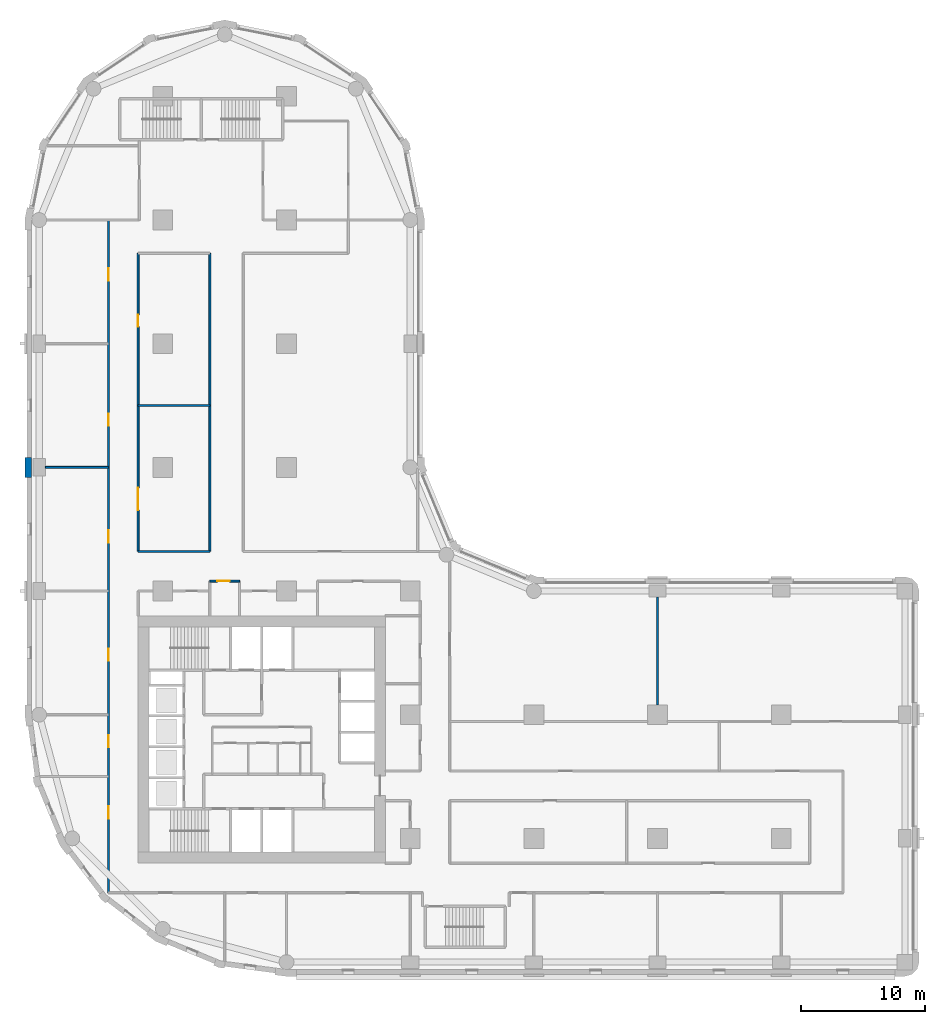
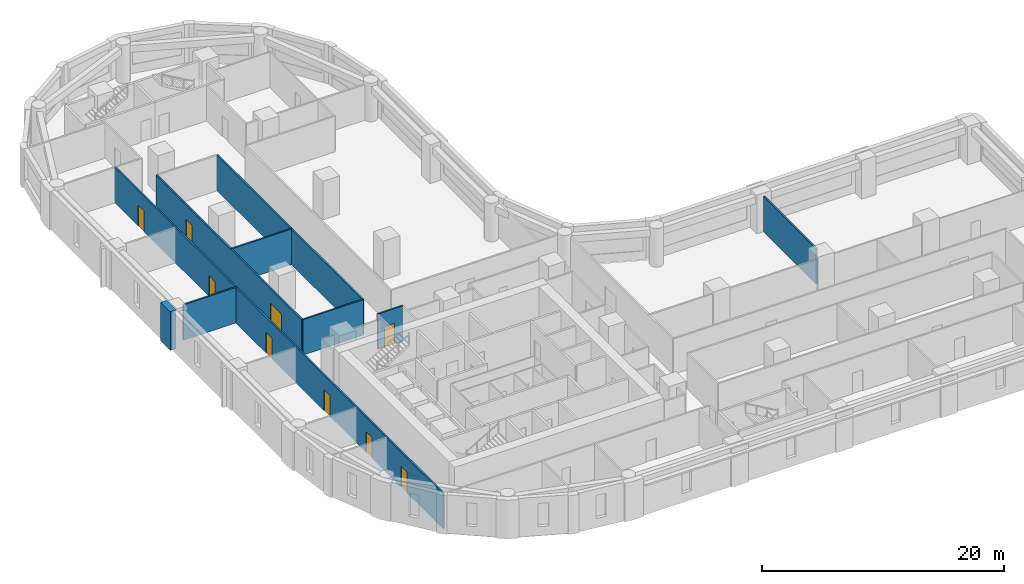
# One storey, part 5 of 11: 9 doors, 9 walls, 9 openings.
"""IFC4 building model written with IfcOpenShell, lengths in metres."""

from ifc_helpers import new_model, si_unit, direction, frame, frame_2d, origin, place, context, subcontext, project, spatial, polyline, rectangle, outline, extrude, material, layer, layer_set, type_object, element, fill, save


model = new_model("IFC4")

# Units and contexts
model_context = context("Model", 3, precision=1e-05, world=origin(), true_north=direction((0.0, 1.0)))
body_context = subcontext(model_context, "Body", "Model", "MODEL_VIEW")
ifc_project = project(units=[si_unit("LENGTHUNIT", "METRE"), si_unit("AREAUNIT", "SQUARE_METRE"), si_unit("VOLUMEUNIT", "CUBIC_METRE"), si_unit("PLANEANGLEUNIT", "RADIAN"), si_unit("MASSUNIT", "GRAM", prefix="KILO")], contexts=[model_context])

# Site, building, storey
site_placement = place(None, origin())
site = spatial("IfcSite", under=ifc_project, at=site_placement, CompositionType="ELEMENT")
building_placement = place(site_placement, origin())
building = spatial("IfcBuilding", under=site, at=building_placement, Name="Qaws Garden Tower", CompositionType="ELEMENT")
storey_placement = place(building_placement, frame((0.0, 0.0, 31.5)))
storey = spatial("IfcBuildingStorey", under=building, at=storey_placement, Name="L07", CompositionType="ELEMENT", Elevation=31.5)

# Wall
ifc_material_1 = material(Name="Clay facing brick masonry", Category="masonry")
ifc_layer_1 = layer(ifc_material_1, 0.550048828125)
ifc_layer_set_1 = layer_set([ifc_layer_1], Name="Clay facing brick masonry")
wall_type_1 = type_object("IfcWallType", Name="Brick pier 550 x 1600", PredefinedType="SOLIDWALL", material=ifc_layer_set_1)
wall_1_placement = place(storey_placement, origin())
element("IfcWall", 1, at=wall_1_placement, inside=storey, type_object=wall_type_1, Name="E-L07-pier-25", PredefinedType="SOLIDWALL", context=body_context, shape_type="SweptSolid", body=[
    extrude(outline(polyline([(-1.0, 40.800048828125), (-1.14990234375, 40.800048828125), (-1.14990234375, 40.0), (-1.14990234375, 39.199951171875), (-1.0, 39.199951171875), (-0.60009765625, 39.199951171875), (-0.60009765625, 40.0), (-0.60009765625, 40.800048828125), (-1.0, 40.800048828125)])), origin(), (0.0, 0.0, 1.0), 3.89990234375),
])

# Wall, openings, doors
ifc_material_2 = material(Name="Gypsum board partition")
ifc_layer_2 = layer(ifc_material_2, 0.14990234375)
ifc_layer_set_2 = layer_set([ifc_layer_2], Name="Gypsum board partition")
wall_type_2 = type_object("IfcWallType", Name="PARTITION 150 EI 60", PredefinedType="PARTITIONING", material=ifc_layer_set_2)
wall_2_placement = place(storey_placement, frame((5.60009765625, 5.60009765625, 0.0), z_axis=(0.0, 0.0, 1.0), x_axis=(0.0, 1.0, 0.0)))
wall_2 = element("IfcWall", 2, at=wall_2_placement, inside=storey, type_object=wall_type_2, Name="O-L07-wall-005", PredefinedType="PARTITIONING", context=body_context, shape_type="SweptSolid", body=[
    extrude(rectangle(XDim=54.39990234375, YDim=0.14990234375, at=frame_2d((27.199951171875, 0.0))), origin(), (0.0, 0.0, 1.0), 3.580078125),
])
opening_1_placement = place(wall_2_placement, frame((6.0, 0.0, 0.0)))
opening_1 = element("IfcOpeningElement", 3, at=opening_1_placement, cuts=wall_2, Name="Opening A201", PredefinedType="OPENING", context=body_context, shape_type="SweptSolid", body=[
    extrude(rectangle(XDim=1.0, YDim=2.10009765625, at=frame_2d((0.5, 1.050048828125))), frame((0.0, 0.0849609375, 0.0), z_axis=(0.0, -1.0, 0.0), x_axis=(1.0, 0.0, 0.0)), (0.0, 0.0, 1.0), 0.169921875),
])
opening_2_placement = place(wall_2_placement, frame((11.75, 0.0, 0.0)))
opening_2 = element("IfcOpeningElement", 4, at=opening_2_placement, cuts=wall_2, Name="Opening A202", PredefinedType="OPENING", context=body_context, shape_type="SweptSolid", body=[
    extrude(rectangle(XDim=1.0, YDim=2.10009765625, at=frame_2d((0.5, 1.050048828125))), frame((0.0, 0.0849609375, 0.0), z_axis=(0.0, -1.0, 0.0), x_axis=(1.0, 0.0, 0.0)), (0.0, 0.0, 1.0), 0.169921875),
])
opening_3_placement = place(wall_2_placement, frame((18.75, 0.0, 0.0)))
opening_3 = element("IfcOpeningElement", 5, at=opening_3_placement, cuts=wall_2, Name="Opening A212", PredefinedType="OPENING", context=body_context, shape_type="SweptSolid", body=[
    extrude(rectangle(XDim=1.0, YDim=2.10009765625, at=frame_2d((0.5, 1.050048828125))), frame((0.0, 0.0849609375, 0.0), z_axis=(0.0, -1.0, 0.0), x_axis=(1.0, 0.0, 0.0)), (0.0, 0.0, 1.0), 0.169921875),
])
opening_4_placement = place(wall_2_placement, frame((28.300048828125, 0.0, 0.0)))
opening_4 = element("IfcOpeningElement", 6, at=opening_4_placement, cuts=wall_2, Name="Opening A222", PredefinedType="OPENING", context=body_context, shape_type="SweptSolid", body=[
    extrude(rectangle(XDim=1.0, YDim=2.10009765625, at=frame_2d((0.5, 1.050048828125))), frame((0.0, 0.0849609375, 0.0), z_axis=(0.0, -1.0, 0.0), x_axis=(1.0, 0.0, 0.0)), (0.0, 0.0, 1.0), 0.169921875),
])
opening_5_placement = place(wall_2_placement, frame((37.75, 0.0, 0.0)))
opening_5 = element("IfcOpeningElement", 7, at=opening_5_placement, cuts=wall_2, Name="Opening A224", PredefinedType="OPENING", context=body_context, shape_type="SweptSolid", body=[
    extrude(rectangle(XDim=1.0, YDim=2.10009765625, at=frame_2d((0.5, 1.050048828125))), frame((0.0, 0.0849609375, 0.0), z_axis=(0.0, -1.0, 0.0), x_axis=(1.0, 0.0, 0.0)), (0.0, 0.0, 1.0), 0.169921875),
])
opening_6_placement = place(wall_2_placement, frame((49.5, 0.0, 0.0)))
opening_6 = element("IfcOpeningElement", 8, at=opening_6_placement, cuts=wall_2, Name="Opening A225", PredefinedType="OPENING", context=body_context, shape_type="SweptSolid", body=[
    extrude(rectangle(XDim=1.0, YDim=2.10009765625, at=frame_2d((0.5, 1.050048828125))), frame((0.0, 0.0849609375, 0.0), z_axis=(0.0, -1.0, 0.0), x_axis=(1.0, 0.0, 0.0)), (0.0, 0.0, 1.0), 0.169921875),
])
ifc_material_3 = material(Name="Timber door leaf", Category="wood")
door_type_1 = type_object("IfcDoorType", Name="TENANCY ENTRANCE DOOR 1000 X 2100", OperationType="SINGLE_SWING_LEFT", PredefinedType="DOOR", material=ifc_material_3)
door_1_placement = place(opening_1_placement, origin())
door_1 = element("IfcDoor", 9, at=door_1_placement, inside=storey, type_object=door_type_1, Name="O-L07-door-001", OperationType="SINGLE_SWING_RIGHT", OverallHeight=2.10009765625, OverallWidth=1.0, PredefinedType="DOOR", context=body_context, shape_type="SweptSolid", body=[
    extrude(rectangle(XDim=1.0, YDim=2.10009765625, at=frame_2d((0.5, 1.050048828125))), frame((0.0, 0.02490234375, 0.0), z_axis=(0.0, -1.0, 0.0), x_axis=(1.0, 0.0, 0.0)), (0.0, 0.0, 1.0), 0.050048828125),
])
fill(opening_1, door_1)
door_2_placement = place(opening_2_placement, origin())
door_2 = element("IfcDoor", 10, at=door_2_placement, inside=storey, type_object=door_type_1, Name="O-L07-door-002", OperationType="SINGLE_SWING_RIGHT", OverallHeight=2.10009765625, OverallWidth=1.0, PredefinedType="DOOR", context=body_context, shape_type="SweptSolid", body=[
    extrude(rectangle(XDim=1.0, YDim=2.10009765625, at=frame_2d((0.5, 1.050048828125))), frame((0.0, 0.02490234375, 0.0), z_axis=(0.0, -1.0, 0.0), x_axis=(1.0, 0.0, 0.0)), (0.0, 0.0, 1.0), 0.050048828125),
])
fill(opening_2, door_2)
door_3_placement = place(opening_3_placement, origin())
door_3 = element("IfcDoor", 11, at=door_3_placement, inside=storey, type_object=door_type_1, Name="O-L07-door-012", OperationType="SINGLE_SWING_RIGHT", OverallHeight=2.10009765625, OverallWidth=1.0, PredefinedType="DOOR", context=body_context, shape_type="SweptSolid", body=[
    extrude(rectangle(XDim=1.0, YDim=2.10009765625, at=frame_2d((0.5, 1.050048828125))), frame((0.0, 0.02490234375, 0.0), z_axis=(0.0, -1.0, 0.0), x_axis=(1.0, 0.0, 0.0)), (0.0, 0.0, 1.0), 0.050048828125),
])
fill(opening_3, door_3)
door_4_placement = place(opening_4_placement, origin())
door_4 = element("IfcDoor", 12, at=door_4_placement, inside=storey, type_object=door_type_1, Name="O-L07-door-022", OperationType="SINGLE_SWING_RIGHT", OverallHeight=2.10009765625, OverallWidth=1.0, PredefinedType="DOOR", context=body_context, shape_type="SweptSolid", body=[
    extrude(rectangle(XDim=1.0, YDim=2.10009765625, at=frame_2d((0.5, 1.050048828125))), frame((0.0, 0.02490234375, 0.0), z_axis=(0.0, -1.0, 0.0), x_axis=(1.0, 0.0, 0.0)), (0.0, 0.0, 1.0), 0.050048828125),
])
fill(opening_4, door_4)
door_5_placement = place(opening_5_placement, origin())
door_5 = element("IfcDoor", 13, at=door_5_placement, inside=storey, type_object=door_type_1, Name="O-L07-door-024", OperationType="SINGLE_SWING_LEFT", OverallHeight=2.10009765625, OverallWidth=1.0, PredefinedType="DOOR", context=body_context, shape_type="SweptSolid", body=[
    extrude(rectangle(XDim=1.0, YDim=2.10009765625, at=frame_2d((0.5, 1.050048828125))), frame((0.0, 0.02490234375, 0.0), z_axis=(0.0, -1.0, 0.0), x_axis=(1.0, 0.0, 0.0)), (0.0, 0.0, 1.0), 0.050048828125),
])
fill(opening_5, door_5)
door_6_placement = place(opening_6_placement, origin())
door_6 = element("IfcDoor", 14, at=door_6_placement, inside=storey, type_object=door_type_1, Name="O-L07-door-025", OperationType="SINGLE_SWING_LEFT", OverallHeight=2.10009765625, OverallWidth=1.0, PredefinedType="DOOR", context=body_context, shape_type="SweptSolid", body=[
    extrude(rectangle(XDim=1.0, YDim=2.10009765625, at=frame_2d((0.5, 1.050048828125))), frame((0.0, 0.02490234375, 0.0), z_axis=(0.0, -1.0, 0.0), x_axis=(1.0, 0.0, 0.0)), (0.0, 0.0, 1.0), 0.050048828125),
])
fill(opening_6, door_6)

wall_3_placement = place(storey_placement, frame((8.0, 33.199951171875, 0.0), z_axis=(0.0, 0.0, 1.0), x_axis=(0.0, 1.0, 0.0)))
wall_3 = element("IfcWall", 15, at=wall_3_placement, inside=storey, type_object=wall_type_2, Name="O-L07-wall-007", PredefinedType="PARTITIONING", context=body_context, shape_type="SweptSolid", body=[
    extrude(rectangle(XDim=24.10009765625, YDim=0.14990234375, at=frame_2d((12.050048828125, 0.0))), origin(), (0.0, 0.0, 1.0), 3.580078125),
])
opening_7_placement = place(wall_3_placement, frame((3.35009765625, 0.0, 0.0)))
opening_7 = element("IfcOpeningElement", 16, at=opening_7_placement, cuts=wall_3, Name="Opening A217", PredefinedType="OPENING", context=body_context, shape_type="SweptSolid", body=[
    extrude(rectangle(XDim=1.800048828125, YDim=2.10009765625, at=frame_2d((0.89990234375, 1.050048828125))), frame((0.0, 0.0849609375, 0.0), z_axis=(0.0, -1.0, 0.0), x_axis=(1.0, 0.0, 0.0)), (0.0, 0.0, 1.0), 0.169921875),
])
opening_8_placement = place(wall_3_placement, frame((18.14990234375, 0.0, 0.0)))
opening_8 = element("IfcOpeningElement", 17, at=opening_8_placement, cuts=wall_3, Name="Opening A218", PredefinedType="OPENING", context=body_context, shape_type="SweptSolid", body=[
    extrude(rectangle(XDim=1.0, YDim=2.10009765625, at=frame_2d((0.5, 1.050048828125))), frame((0.0, 0.0849609375, 0.0), z_axis=(0.0, -1.0, 0.0), x_axis=(1.0, 0.0, 0.0)), (0.0, 0.0, 1.0), 0.169921875),
])
ifc_material_4 = material(Name="Timber door leaf", Category="wood")
door_type_2 = type_object("IfcDoorType", Name="DOUBLE DOOR 1800 X 2100", OperationType="DOUBLE_DOOR_SINGLE_SWING", PredefinedType="DOOR", material=ifc_material_4)
door_7_placement = place(opening_7_placement, frame((1.800048828125, 0.0, 0.0), z_axis=(0.0, 0.0, 1.0), x_axis=(-1.0, 0.0, 0.0)))
door_7 = element("IfcDoor", 18, at=door_7_placement, inside=storey, type_object=door_type_2, Name="O-L07-door-017", OperationType="DOUBLE_DOOR_SINGLE_SWING", OverallHeight=2.10009765625, OverallWidth=1.800048828125, PredefinedType="DOOR", context=body_context, shape_type="SweptSolid", body=[
    extrude(rectangle(XDim=1.800048828125, YDim=2.10009765625, at=frame_2d((0.89990234375, 1.050048828125))), frame((0.0, 0.02490234375, 0.0), z_axis=(0.0, -1.0, 0.0), x_axis=(1.0, 0.0, 0.0)), (0.0, 0.0, 1.0), 0.050048828125),
])
fill(opening_7, door_7)
door_8_placement = place(opening_8_placement, frame((1.0, 0.0, 0.0), z_axis=(0.0, 0.0, 1.0), x_axis=(-1.0, 0.0, 0.0)))
door_8 = element("IfcDoor", 19, at=door_8_placement, inside=storey, type_object=door_type_1, Name="O-L07-door-018", OperationType="SINGLE_SWING_RIGHT", OverallHeight=2.10009765625, OverallWidth=1.0, PredefinedType="DOOR", context=body_context, shape_type="SweptSolid", body=[
    extrude(rectangle(XDim=1.0, YDim=2.10009765625, at=frame_2d((0.5, 1.050048828125))), frame((0.0, 0.02490234375, 0.0), z_axis=(0.0, -1.0, 0.0), x_axis=(1.0, 0.0, 0.0)), (0.0, 0.0, 1.0), 0.050048828125),
])
fill(opening_8, door_8)

# Walls
wall_4_placement = place(storey_placement, frame((13.800048828125, 33.199951171875, 0.0), z_axis=(0.0, 0.0, 1.0), x_axis=(0.0, 1.0, 0.0)))
element("IfcWall", 20, at=wall_4_placement, inside=storey, type_object=wall_type_2, Name="O-L07-wall-010", PredefinedType="PARTITIONING", context=body_context, shape_type="SweptSolid", body=[
    extrude(rectangle(XDim=24.10009765625, YDim=0.14990234375, at=frame_2d((12.050048828125, 0.0))), origin(), (0.0, 0.0, 1.0), 3.580078125),
])
wall_5_placement = place(storey_placement, frame((50.0, 20.800048828125, 0.0), z_axis=(0.0, 0.0, 1.0), x_axis=(0.0, 1.0, 0.0)))
element("IfcWall", 21, at=wall_5_placement, inside=storey, type_object=wall_type_2, Name="O-L07-wall-031", PredefinedType="PARTITIONING", context=body_context, shape_type="SweptSolid", body=[
    extrude(rectangle(XDim=8.699951171875, YDim=0.14990234375, at=frame_2d((4.35009765625, 0.0))), origin(), (0.0, 0.0, 1.0), 3.580078125),
])

# Wall, opening, door
wall_6_placement = place(storey_placement, frame((13.800048828125, 30.800048828125, 0.0), z_axis=(0.0, 0.0, 1.0), x_axis=(1.0, 0.0, 0.0)))
wall_6 = element("IfcWall", 22, at=wall_6_placement, inside=storey, type_object=wall_type_2, Name="O-L07-wall-056", PredefinedType="PARTITIONING", context=body_context, shape_type="SweptSolid", body=[
    extrude(rectangle(XDim=2.39990234375, YDim=0.14990234375, at=frame_2d((1.199951171875, 0.0))), origin(), (0.0, 0.0, 1.0), 3.580078125),
])
opening_9_placement = place(wall_6_placement, frame((0.60009765625, 0.0, 0.0)))
opening_9 = element("IfcOpeningElement", 23, at=opening_9_placement, cuts=wall_6, Name="Opening A223", PredefinedType="OPENING", context=body_context, shape_type="SweptSolid", body=[
    extrude(rectangle(XDim=1.0, YDim=2.10009765625, at=frame_2d((0.5, 1.050048828125))), frame((0.0, 0.0849609375, 0.0), z_axis=(0.0, -1.0, 0.0), x_axis=(1.0, 0.0, 0.0)), (0.0, 0.0, 1.0), 0.169921875),
])
door_9_placement = place(opening_9_placement, frame((1.0, 0.0, 0.0), z_axis=(0.0, 0.0, 1.0), x_axis=(-1.0, 0.0, 0.0)))
door_9 = element("IfcDoor", 24, at=door_9_placement, inside=storey, type_object=door_type_1, Name="O-L07-door-023", OperationType="SINGLE_SWING_RIGHT", OverallHeight=2.10009765625, OverallWidth=1.0, PredefinedType="DOOR", context=body_context, shape_type="SweptSolid", body=[
    extrude(rectangle(XDim=1.0, YDim=2.10009765625, at=frame_2d((0.5, 1.050048828125))), frame((0.0, 0.02490234375, 0.0), z_axis=(0.0, -1.0, 0.0), x_axis=(1.0, 0.0, 0.0)), (0.0, 0.0, 1.0), 0.050048828125),
])
fill(opening_9, door_9)

# Walls
wall_7_placement = place(storey_placement, frame((8.0, 33.199951171875, 0.0), z_axis=(0.0, 0.0, 1.0), x_axis=(1.0, 0.0, 0.0)))
element("IfcWall", 25, at=wall_7_placement, inside=storey, type_object=wall_type_2, Name="O-L07-wall-058", PredefinedType="PARTITIONING", context=body_context, shape_type="SweptSolid", body=[
    extrude(rectangle(XDim=5.800048828125, YDim=0.14990234375, at=frame_2d((2.89990234375, 0.0))), origin(), (0.0, 0.0, 1.0), 3.580078125),
])
wall_8_placement = place(storey_placement, frame((0.5, 40.0, 0.0), z_axis=(0.0, 0.0, 1.0), x_axis=(1.0, 0.0, 0.0)))
element("IfcWall", 26, at=wall_8_placement, inside=storey, type_object=wall_type_2, Name="O-L07-wall-060", PredefinedType="PARTITIONING", context=body_context, shape_type="SweptSolid", body=[
    extrude(rectangle(XDim=5.10009765625, YDim=0.14990234375, at=frame_2d((2.550048828125, 0.0))), origin(), (0.0, 0.0, 1.0), 3.580078125),
])
wall_9_placement = place(storey_placement, frame((8.0, 45.0, 0.0), z_axis=(0.0, 0.0, 1.0), x_axis=(1.0, 0.0, 0.0)))
element("IfcWall", 27, at=wall_9_placement, inside=storey, type_object=wall_type_2, Name="O-L07-wall-061", PredefinedType="PARTITIONING", context=body_context, shape_type="SweptSolid", body=[
    extrude(rectangle(XDim=5.800048828125, YDim=0.14990234375, at=frame_2d((2.89990234375, 0.0))), origin(), (0.0, 0.0, 1.0), 3.580078125),
])

save(model, "model.ifc")
